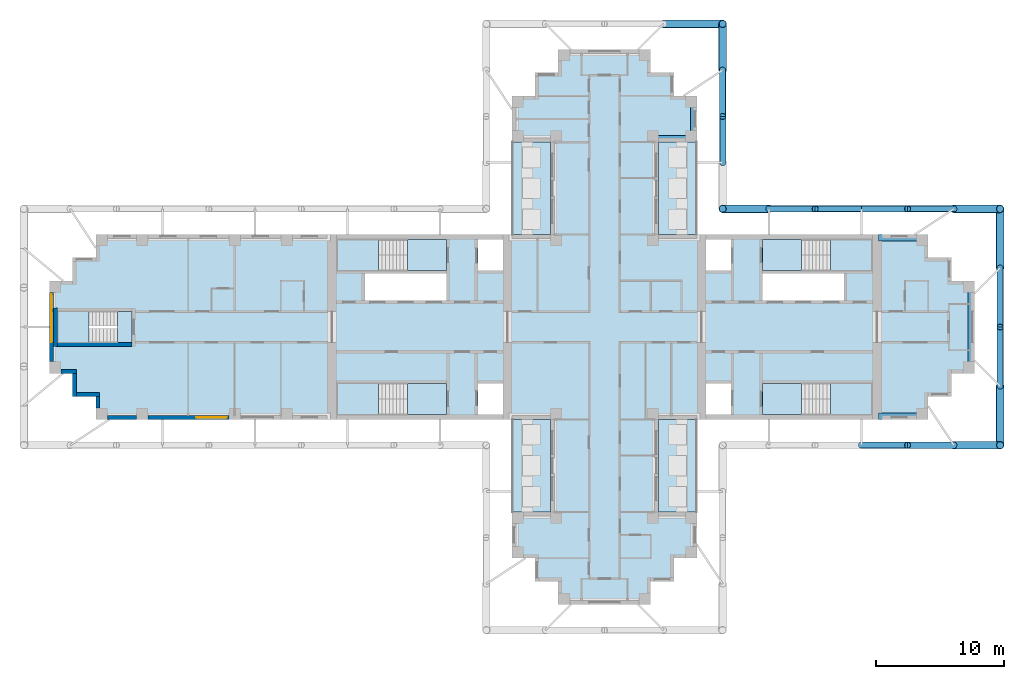
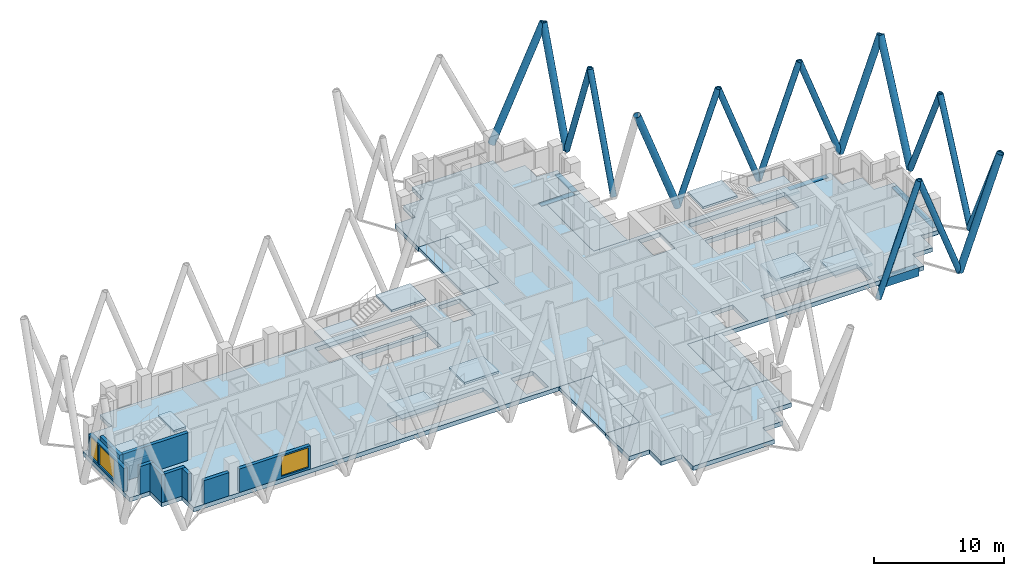
# One storey, part 2 of 12: 17 members, 15 slabs, 9 walls, 5 beams, 3 windows, 3 openings, 5 elements without a shape of their own.
"""IFC4 building model written with IfcOpenShell, lengths in metres."""

from ifc_helpers import new_model, si_unit, direction, frame, frame_2d, origin, origin_2d, place, context, subcontext, project, spatial, polyline, rectangle, hollow_circle, outline, extrude, material, layer, layer_set, material_profile, profile_set, type_object, element, fill, aggregate, save


model = new_model("IFC4")

# Units and contexts
model_context = context("Model", 3, precision=1e-05, world=origin(), true_north=direction((0.0, 1.0)))
body_context = subcontext(model_context, "Body", "Model", "MODEL_VIEW")
ifc_project = project(units=[si_unit("LENGTHUNIT", "METRE"), si_unit("AREAUNIT", "SQUARE_METRE"), si_unit("VOLUMEUNIT", "CUBIC_METRE"), si_unit("PLANEANGLEUNIT", "RADIAN"), si_unit("MASSUNIT", "GRAM", prefix="KILO")], contexts=[model_context])

# Site, building, storey
site_placement = place(None, origin())
site = spatial("IfcSite", under=ifc_project, at=site_placement, CompositionType="ELEMENT")
building_placement = place(site_placement, origin())
building = spatial("IfcBuilding", under=site, at=building_placement, Name="Fustian Cross Tower", CompositionType="ELEMENT")
storey_placement = place(building_placement, frame((0.0, 0.0, 188.699951171875)))
storey = spatial("IfcBuildingStorey", under=building, at=storey_placement, Name="L59", CompositionType="ELEMENT", Elevation=188.699951171875)

# Members
ifc_material_1 = material(Name="Steel S355", Category="steel")
ifc_material_profile_1 = material_profile(ifc_material_1, hollow_circle(Radius=0.25390625, WallThickness=0.02001953125, at=origin_2d()), Name="CHS 508x20")
ifc_profile_set_1 = profile_set([ifc_material_profile_1], Name="Steel S355")
member_type_1 = type_object("IfcMemberType", Name="DIAGRID DIAGONAL CHS 508x20", PredefinedType="BRACE", material=ifc_profile_set_1)
member_1_placement = place(storey_placement, frame((20.0, -9.199951171875, 0.0), z_axis=(0.34482419047, 0.0, 0.938667288056), x_axis=(0.0, 1.0, 0.0)))
element("IfcMember", 1, at=member_1_placement, inside=storey, type_object=member_type_1, Name="Diagrid diagonal E-S 04", PredefinedType="BRACE", context=body_context, shape_type="SweptSolid", body=[
    extrude(hollow_circle(Radius=0.25390625, WallThickness=0.02001953125, at=origin_2d()), origin(), (0.0, 0.0, 1.0), 10.4404296875),
])
member_2_placement = place(storey_placement, frame((27.199951171875, -9.199951171875, 0.0), z_axis=(-0.344803586443, 0.0, 0.938674856793), x_axis=(0.0, -1.0, 0.0)))
element("IfcMember", 2, at=member_2_placement, inside=storey, type_object=member_type_1, Name="Diagrid diagonal E-S 05", PredefinedType="BRACE", context=body_context, shape_type="SweptSolid", body=[
    extrude(hollow_circle(Radius=0.25390625, WallThickness=0.02001953125, at=origin_2d()), origin(), (0.0, 0.0, 1.0), 10.440185546875),
])
for number, where, z_axis, x_axis, name in (
    (3, (30.800048828125, -4.60009765625, 0.0), (0.0, 0.424912794088, 0.90523428869), (-1.0, 0.0, 0.0), "Diagrid diagonal E-end 02"),
    (4, (30.800048828125, 4.60009765625, 0.0), (0.0, -0.424912794088, 0.90523428869), (1.0, 0.0, 0.0), "Diagrid diagonal E-end 03"),
):
    element("IfcMember", number, at=place(storey_placement, frame(where, z_axis=z_axis, x_axis=x_axis)), inside=storey, type_object=member_type_1, Name=name, PredefinedType="BRACE", context=body_context, shape_type="SweptSolid", body=[
        extrude(hollow_circle(Radius=0.25390625, WallThickness=0.02001953125, at=origin_2d()), origin(), (0.0, 0.0, 1.0), 10.825927734375),
    ])
member_3_placement = place(storey_placement, frame((27.199951171875, 9.199951171875, 0.0), z_axis=(-0.344803586443, 0.0, 0.938674856793), x_axis=(0.0, -1.0, 0.0)))
element("IfcMember", 5, at=member_3_placement, inside=storey, type_object=member_type_1, Name="Diagrid diagonal E-N 02", PredefinedType="BRACE", context=body_context, shape_type="SweptSolid", body=[
    extrude(hollow_circle(Radius=0.25390625, WallThickness=0.02001953125, at=origin_2d()), origin(), (0.0, 0.0, 1.0), 10.440185546875),
])
for number, where, z_axis, x_axis, name in (
    (6, (20.0, 9.199951171875, 0.0), (0.34482419047, 0.0, 0.938667288056), (0.0, 1.0, 0.0), "Diagrid diagonal E-N 03"),
    (7, (20.0, 9.199951171875, 0.0), (-0.34482419047, 0.0, 0.938667288056), (0.0, -1.0, 0.0), "Diagrid diagonal E-N 04"),
):
    element("IfcMember", number, at=place(storey_placement, frame(where, z_axis=z_axis, x_axis=x_axis)), inside=storey, type_object=member_type_1, Name=name, PredefinedType="BRACE", context=body_context, shape_type="SweptSolid", body=[
        extrude(hollow_circle(Radius=0.25390625, WallThickness=0.02001953125, at=origin_2d()), origin(), (0.0, 0.0, 1.0), 10.4404296875),
    ])
for number, where, z_axis, x_axis, name in (
    (8, (12.800048828125, 9.199951171875, 0.0), (0.344803586443, 0.0, 0.938674856793), (0.0, 1.0, 0.0), "Diagrid diagonal E-N 05"),
    (9, (9.199951171875, 12.800048828125, 0.0), (0.0, 0.344803586443, 0.938674856793), (-1.0, 0.0, 0.0), "Diagrid diagonal N-E 02"),
):
    element("IfcMember", number, at=place(storey_placement, frame(where, z_axis=z_axis, x_axis=x_axis)), inside=storey, type_object=member_type_1, Name=name, PredefinedType="BRACE", context=body_context, shape_type="SweptSolid", body=[
        extrude(hollow_circle(Radius=0.25390625, WallThickness=0.02001953125, at=origin_2d()), origin(), (0.0, 0.0, 1.0), 10.440185546875),
    ])
member_4_placement = place(storey_placement, frame((9.199951171875, 20.0, 0.0), z_axis=(0.0, -0.34482419047, 0.938667288056), x_axis=(1.0, 0.0, 0.0)))
element("IfcMember", 10, at=member_4_placement, inside=storey, type_object=member_type_1, Name="Diagrid diagonal N-E 03", PredefinedType="BRACE", context=body_context, shape_type="SweptSolid", body=[
    extrude(hollow_circle(Radius=0.25390625, WallThickness=0.02001953125, at=origin_2d()), origin(), (0.0, 0.0, 1.0), 10.4404296875),
])
ifc_material_2 = material(Name="Steel S355", Category="steel")
ifc_material_profile_2 = material_profile(ifc_material_2, hollow_circle(Radius=0.3046875, WallThickness=0.02490234375, at=origin_2d()), Name="CHS 610x25")
ifc_profile_set_2 = profile_set([ifc_material_profile_2], Name="Steel S355")
member_type_2 = type_object("IfcMemberType", Name="DIAGRID DIAGONAL CHS 610x25", PredefinedType="BRACE", material=ifc_profile_set_2)
member_5_placement = place(storey_placement, frame((27.199951171875, -9.199951171875, 0.0), z_axis=(0.34482419047, 0.0, 0.938667288056), x_axis=(0.0, 1.0, 0.0)))
element("IfcMember", 11, at=member_5_placement, inside=storey, type_object=member_type_2, Name="Diagrid diagonal E-S 06", PredefinedType="BRACE", context=body_context, shape_type="SweptSolid", body=[
    extrude(hollow_circle(Radius=0.3046875, WallThickness=0.02490234375, at=origin_2d()), origin(), (0.0, 0.0, 1.0), 10.4404296875),
])
for number, where, z_axis, x_axis, name in (
    (12, (30.800048828125, -4.60009765625, 0.0), (0.0, -0.424894314128, 0.905242962868), (1.0, 0.0, 0.0), "Diagrid diagonal E-end 01"),
    (13, (30.800048828125, 4.60009765625, 0.0), (0.0, 0.424894314128, 0.905242962868), (-1.0, 0.0, 0.0), "Diagrid diagonal E-end 04"),
):
    element("IfcMember", number, at=place(storey_placement, frame(where, z_axis=z_axis, x_axis=x_axis)), inside=storey, type_object=member_type_2, Name=name, PredefinedType="BRACE", context=body_context, shape_type="SweptSolid", body=[
        extrude(hollow_circle(Radius=0.3046875, WallThickness=0.02490234375, at=origin_2d()), origin(), (0.0, 0.0, 1.0), 10.825927734375),
    ])
for number, where, z_axis, x_axis, name in (
    (14, (27.199951171875, 9.199951171875, 0.0), (0.34482419047, 0.0, 0.938667288056), (0.0, 1.0, 0.0), "Diagrid diagonal E-N 01"),
    (15, (12.800048828125, 9.199951171875, 0.0), (-0.34482419047, 0.0, 0.938667288056), (0.0, -1.0, 0.0), "Diagrid diagonal E-N 06"),
    (16, (9.199951171875, 20.0, 0.0), (0.0, 0.34482419047, 0.938667288056), (-1.0, 0.0, 0.0), "Diagrid diagonal N-E 04"),
):
    element("IfcMember", number, at=place(storey_placement, frame(where, z_axis=z_axis, x_axis=x_axis)), inside=storey, type_object=member_type_2, Name=name, PredefinedType="BRACE", context=body_context, shape_type="SweptSolid", body=[
        extrude(hollow_circle(Radius=0.3046875, WallThickness=0.02490234375, at=origin_2d()), origin(), (0.0, 0.0, 1.0), 10.4404296875),
    ])
member_6_placement = place(storey_placement, frame((4.60009765625, 23.60009765625, 0.0), z_axis=(0.424894314128, 0.0, 0.905242962868), x_axis=(0.0, 1.0, 0.0)))
element("IfcMember", 17, at=member_6_placement, inside=storey, type_object=member_type_2, Name="Diagrid diagonal N-end 01", PredefinedType="BRACE", context=body_context, shape_type="SweptSolid", body=[
    extrude(hollow_circle(Radius=0.3046875, WallThickness=0.02490234375, at=origin_2d()), origin(), (0.0, 0.0, 1.0), 10.825927734375),
])

# Beams
ifc_material_3 = material(Name="Concrete C50/60", Category="concrete")
ifc_material_profile_3 = material_profile(ifc_material_3, rectangle(XDim=0.5, YDim=0.800048828125, at=origin_2d()), Name="RC 500x800")
ifc_profile_set_3 = profile_set([ifc_material_profile_3], Name="Concrete C50/60")
beam_type = type_object("IfcBeamType", Name="EDGE BEAM RC 500x800 C50/60", PredefinedType="SPANDREL", material=ifc_profile_set_3)
beam_1_placement = place(storey_placement, frame((21.35009765625, -6.949951171875, -0.39990234375), z_axis=(1.0, 0.0, 0.0), x_axis=(0.0, 1.0, 0.0)))
element("IfcBeam", 18, at=beam_1_placement, inside=storey, type_object=beam_type, Name="EDGE BEAM L59-01", PredefinedType="SPANDREL", context=body_context, shape_type="SweptSolid", body=[
    extrude(rectangle(XDim=0.5, YDim=0.800048828125, at=origin_2d()), origin(), (0.0, 0.0, 1.0), 3.39990234375),
])
beam_2_placement = place(storey_placement, frame((28.550048828125, -3.14990234375, -0.39990234375), z_axis=(0.0, 1.0, 0.0), x_axis=(-1.0, 0.0, 0.0)))
element("IfcBeam", 19, at=beam_2_placement, inside=storey, type_object=beam_type, Name="EDGE BEAM L59-02", PredefinedType="SPANDREL", context=body_context, shape_type="SweptSolid", body=[
    extrude(rectangle(XDim=0.5, YDim=0.800048828125, at=origin_2d()), origin(), (0.0, 0.0, 1.0), 6.2998046875),
])
beam_3_placement = place(storey_placement, frame((24.75, 6.949951171875, -0.39990234375), z_axis=(-1.0, 0.0, 0.0), x_axis=(0.0, -1.0, 0.0)))
element("IfcBeam", 20, at=beam_3_placement, inside=storey, type_object=beam_type, Name="EDGE BEAM L59-03", PredefinedType="SPANDREL", context=body_context, shape_type="SweptSolid", body=[
    extrude(rectangle(XDim=0.5, YDim=0.800048828125, at=origin_2d()), origin(), (0.0, 0.0, 1.0), 3.39990234375),
])
beam_4_placement = place(storey_placement, frame((3.75, 14.64990234375, -0.39990234375), z_axis=(1.0, 0.0, 0.0), x_axis=(0.0, 1.0, 0.0)))
element("IfcBeam", 21, at=beam_4_placement, inside=storey, type_object=beam_type, Name="EDGE BEAM L59-06", PredefinedType="SPANDREL", context=body_context, shape_type="SweptSolid", body=[
    extrude(rectangle(XDim=0.5, YDim=0.800048828125, at=origin_2d()), origin(), (0.0, 0.0, 1.0), 3.0),
])
beam_5_placement = place(storey_placement, frame((6.949951171875, 14.85009765625, -0.39990234375), z_axis=(0.0, 1.0, 0.0), x_axis=(-1.0, 0.0, 0.0)))
element("IfcBeam", 22, at=beam_5_placement, inside=storey, type_object=beam_type, Name="EDGE BEAM L59-07", PredefinedType="SPANDREL", context=body_context, shape_type="SweptSolid", body=[
    extrude(rectangle(XDim=0.5, YDim=0.800048828125, at=origin_2d()), origin(), (0.0, 0.0, 1.0), 2.699951171875),
])

# Slabs
ifc_material_4 = material(Name="Concrete C40/50", Category="concrete")
ifc_layer_1 = layer(ifc_material_4, 0.300048828125)
ifc_layer_set_1 = layer_set([ifc_layer_1], Name="Concrete C40/50")
slab_type_1 = type_object("IfcSlabType", Name="BS1 BALCONY SLAB 300", PredefinedType="FLOOR", material=ifc_layer_set_1)
slab_1_placement = place(storey_placement, frame((0.0, 0.0, -0.300048828125)))
element("IfcSlab", 23, at=slab_1_placement, inside=storey, type_object=slab_type_1, Name="Balcony slab", PredefinedType="FLOOR", context=body_context, shape_type="SweptSolid", body=[
    extrude(outline(polyline([(4.199951171875, 7.199951171875), (7.199951171875, 7.199951171875), (7.199951171875, 14.39990234375), (4.199951171875, 14.39990234375), (4.199951171875, 7.199951171875)])), origin(), (0.0, 0.0, 1.0), 0.300048828125),
])
slab_2_placement = place(storey_placement, frame((0.0, 0.0, -0.300048828125)))
element("IfcSlab", 24, at=slab_2_placement, inside=storey, type_object=slab_type_1, Name="Balcony slab", PredefinedType="FLOOR", context=body_context, shape_type="SweptSolid", body=[
    extrude(outline(polyline([(-7.199951171875, 7.199951171875), (-4.199951171875, 7.199951171875), (-4.199951171875, 14.39990234375), (-7.199951171875, 14.39990234375), (-7.199951171875, 7.199951171875)])), origin(), (0.0, 0.0, 1.0), 0.300048828125),
])
slab_3_placement = place(storey_placement, frame((0.0, 0.0, -0.300048828125)))
element("IfcSlab", 25, at=slab_3_placement, inside=storey, type_object=slab_type_1, Name="Balcony slab", PredefinedType="FLOOR", context=body_context, shape_type="SweptSolid", body=[
    extrude(outline(polyline([(4.199951171875, -14.39990234375), (7.199951171875, -14.39990234375), (7.199951171875, -7.199951171875), (4.199951171875, -7.199951171875), (4.199951171875, -14.39990234375)])), origin(), (0.0, 0.0, 1.0), 0.300048828125),
])
slab_4_placement = place(storey_placement, frame((0.0, 0.0, -0.300048828125)))
element("IfcSlab", 26, at=slab_4_placement, inside=storey, type_object=slab_type_1, Name="Balcony slab", PredefinedType="FLOOR", context=body_context, shape_type="SweptSolid", body=[
    extrude(outline(polyline([(-7.199951171875, -14.39990234375), (-4.199951171875, -14.39990234375), (-4.199951171875, -7.199951171875), (-7.199951171875, -7.199951171875), (-7.199951171875, -14.39990234375)])), origin(), (0.0, 0.0, 1.0), 0.300048828125),
])
ifc_material_5 = material(Name="Concrete C40/50", Category="concrete")
ifc_layer_2 = layer(ifc_material_5, 0.39990234375)
ifc_layer_set_2 = layer_set([ifc_layer_2], Name="Concrete C40/50")
slab_type_2 = type_object("IfcSlabType", Name="FLAT SLAB 400", PredefinedType="FLOOR", material=ifc_layer_set_2)
slab_5_placement = place(storey_placement, frame((0.0, 0.0, -0.39990234375)))
element("IfcSlab", 27, at=slab_5_placement, inside=storey, type_object=slab_type_2, Name="FLOOR SLAB L59-1", PredefinedType="FLOOR", context=body_context, shape_type="SweptSolid", body=[
    extrude(outline(polyline([(-5.39990234375, -19.800048828125), (-5.39990234375, -18.0), (-7.199951171875, -18.0), (-7.199951171875, -14.39990234375), (-4.199951171875, -14.39990234375), (-4.199951171875, -7.199951171875), (-39.60009765625, -7.199951171875), (-39.60009765625, -5.39990234375), (-41.39990234375, -5.39990234375), (-41.39990234375, -3.60009765625), (-43.199951171875, -3.60009765625), (-43.199951171875, 3.60009765625), (-41.39990234375, 3.60009765625), (-41.39990234375, 5.39990234375), (-39.60009765625, 5.39990234375), (-39.60009765625, 7.199951171875), (-4.199951171875, 7.199951171875), (-4.199951171875, 14.39990234375), (-7.199951171875, 14.39990234375), (-7.199951171875, 18.0), (-5.39990234375, 18.0), (-5.39990234375, 19.800048828125), (-3.60009765625, 19.800048828125), (-3.60009765625, 21.60009765625), (3.60009765625, 21.60009765625), (3.60009765625, 19.800048828125), (5.39990234375, 19.800048828125), (5.39990234375, 18.0), (7.199951171875, 18.0), (7.199951171875, 14.39990234375), (4.199951171875, 14.39990234375), (4.199951171875, 7.199951171875), (25.199951171875, 7.199951171875), (25.199951171875, 5.39990234375), (27.0, 5.39990234375), (27.0, 3.60009765625), (28.800048828125, 3.60009765625), (28.800048828125, -3.60009765625), (27.0, -3.60009765625), (27.0, -5.39990234375), (25.199951171875, -5.39990234375), (25.199951171875, -7.199951171875), (4.199951171875, -7.199951171875), (4.199951171875, -14.39990234375), (7.199951171875, -14.39990234375), (7.199951171875, -18.0), (5.39990234375, -18.0), (5.39990234375, -19.800048828125), (3.60009765625, -19.800048828125), (3.60009765625, -21.60009765625), (-3.60009765625, -21.60009765625), (-3.60009765625, -19.800048828125), (-5.39990234375, -19.800048828125)]), holes=[polyline([(7.89990234375, 4.39990234375), (9.85009765625, 4.39990234375), (9.85009765625, 6.800048828125), (7.89990234375, 6.800048828125), (7.89990234375, 4.39990234375)]), polyline([(7.89990234375, -4.39990234375), (7.89990234375, -6.800048828125), (9.85009765625, -6.800048828125), (9.85009765625, -4.39990234375), (7.89990234375, -4.39990234375)]), polyline([(-7.89990234375, 6.800048828125), (-9.85009765625, 6.800048828125), (-9.85009765625, 4.39990234375), (-7.89990234375, 4.39990234375), (-7.89990234375, 6.800048828125)]), polyline([(-7.89990234375, -6.800048828125), (-7.89990234375, -4.39990234375), (-9.85009765625, -4.39990234375), (-9.85009765625, -6.800048828125), (-7.89990234375, -6.800048828125)]), polyline([(12.300048828125, 2.050048828125), (18.64990234375, 2.050048828125), (18.64990234375, 4.14990234375), (12.300048828125, 4.14990234375), (12.300048828125, 2.050048828125)]), polyline([(-18.64990234375, 4.14990234375), (-18.64990234375, 2.050048828125), (-12.300048828125, 2.050048828125), (-12.300048828125, 4.14990234375), (-18.64990234375, 4.14990234375)]), polyline([(20.85009765625, 6.699951171875), (12.300048828125, 6.699951171875), (12.300048828125, 4.39990234375), (20.85009765625, 4.39990234375), (20.85009765625, 6.699951171875)]), polyline([(20.85009765625, -6.699951171875), (20.85009765625, -4.39990234375), (12.300048828125, -4.39990234375), (12.300048828125, -6.699951171875), (20.85009765625, -6.699951171875)]), polyline([(-20.85009765625, 4.39990234375), (-12.300048828125, 4.39990234375), (-12.300048828125, 6.699951171875), (-20.85009765625, 6.699951171875), (-20.85009765625, 4.39990234375)]), polyline([(-20.85009765625, -4.39990234375), (-20.85009765625, -6.699951171875), (-12.300048828125, -6.699951171875), (-12.300048828125, -4.39990234375), (-20.85009765625, -4.39990234375)]), polyline([(-36.800048828125, 1.199951171875), (-42.60009765625, 1.199951171875), (-42.60009765625, -1.199951171875), (-36.800048828125, -1.199951171875), (-36.800048828125, 1.199951171875)])]), origin(), (0.0, 0.0, 1.0), 0.39990234375),
])

# Stair, slabs
ifc_material_6 = material(Name="Concrete C50/60", Category="concrete")
stair_type_1 = type_object("IfcStairType", Name="STAIR 1200 HALF TURN", PredefinedType="HALF_TURN_STAIR", material=ifc_material_6)
stair_1_placement = place(storey_placement, origin())
stair_1 = element("IfcStair", 28, at=stair_1_placement, inside=storey, type_object=stair_type_1, Name="Stair ST1", PredefinedType="HALF_TURN_STAIR")
ifc_material_7 = material(Name="Concrete C50/60", Category="concrete")
ifc_layer_3 = layer(ifc_material_7, 0.199951171875)
ifc_layer_set_3 = layer_set([ifc_layer_3], Name="Concrete C50/60")
slab_type_3 = type_object("IfcSlabType", Name="STAIR LANDING", PredefinedType="LANDING", material=ifc_layer_set_3)
slab_6_placement = place(storey_placement, frame((0.0, 0.0, 1.300048828125)))
slab_6 = element("IfcSlab", 29, at=slab_6_placement, type_object=slab_type_3, Name="ST1 landing 1", PredefinedType="LANDING", context=body_context, shape_type="SweptSolid", body=[
    extrude(outline(polyline([(17.590087890625, 4.39990234375), (20.85009765625, 4.39990234375), (20.85009765625, 6.800048828125), (17.590087890625, 6.800048828125), (17.590087890625, 4.39990234375)])), origin(), (0.0, 0.0, 1.0), 0.199951171875),
])
slab_7_placement = place(storey_placement, frame((0.0, 0.0, 2.800048828125)))
slab_7 = element("IfcSlab", 30, at=slab_7_placement, type_object=slab_type_3, Name="ST1 landing 2", PredefinedType="LANDING", context=body_context, shape_type="SweptSolid", body=[
    extrude(outline(polyline([(12.300048828125, 4.39990234375), (15.35009765625, 4.39990234375), (15.35009765625, 6.800048828125), (12.300048828125, 6.800048828125), (12.300048828125, 4.39990234375)])), origin(), (0.0, 0.0, 1.0), 0.199951171875),
])
aggregate(stair_1, [slab_6, slab_7])

stair_2_placement = place(storey_placement, origin())
stair_2 = element("IfcStair", 31, at=stair_2_placement, inside=storey, type_object=stair_type_1, Name="Stair ST2", PredefinedType="HALF_TURN_STAIR")
slab_8_placement = place(storey_placement, frame((0.0, 0.0, 1.300048828125)))
slab_8 = element("IfcSlab", 32, at=slab_8_placement, type_object=slab_type_3, Name="ST2 landing 1", PredefinedType="LANDING", context=body_context, shape_type="SweptSolid", body=[
    extrude(outline(polyline([(17.590087890625, -4.39990234375), (20.85009765625, -4.39990234375), (20.85009765625, -6.800048828125), (17.590087890625, -6.800048828125), (17.590087890625, -4.39990234375)])), origin(), (0.0, 0.0, 1.0), 0.199951171875),
])
slab_9_placement = place(storey_placement, frame((0.0, 0.0, 2.800048828125)))
slab_9 = element("IfcSlab", 33, at=slab_9_placement, type_object=slab_type_3, Name="ST2 landing 2", PredefinedType="LANDING", context=body_context, shape_type="SweptSolid", body=[
    extrude(outline(polyline([(12.300048828125, -4.39990234375), (15.35009765625, -4.39990234375), (15.35009765625, -6.800048828125), (12.300048828125, -6.800048828125), (12.300048828125, -4.39990234375)])), origin(), (0.0, 0.0, 1.0), 0.199951171875),
])
aggregate(stair_2, [slab_8, slab_9])

stair_3_placement = place(storey_placement, origin())
stair_3 = element("IfcStair", 34, at=stair_3_placement, inside=storey, type_object=stair_type_1, Name="Stair ST3", PredefinedType="HALF_TURN_STAIR")
slab_10_placement = place(storey_placement, frame((0.0, 0.0, 1.300048828125)))
slab_10 = element("IfcSlab", 35, at=slab_10_placement, type_object=slab_type_3, Name="ST3 landing 1", PredefinedType="LANDING", context=body_context, shape_type="SweptSolid", body=[
    extrude(outline(polyline([(-17.590087890625, 4.39990234375), (-20.85009765625, 4.39990234375), (-20.85009765625, 6.800048828125), (-17.590087890625, 6.800048828125), (-17.590087890625, 4.39990234375)])), origin(), (0.0, 0.0, 1.0), 0.199951171875),
])
slab_11_placement = place(storey_placement, frame((0.0, 0.0, 2.800048828125)))
slab_11 = element("IfcSlab", 36, at=slab_11_placement, type_object=slab_type_3, Name="ST3 landing 2", PredefinedType="LANDING", context=body_context, shape_type="SweptSolid", body=[
    extrude(outline(polyline([(-12.300048828125, 4.39990234375), (-15.35009765625, 4.39990234375), (-15.35009765625, 6.800048828125), (-12.300048828125, 6.800048828125), (-12.300048828125, 4.39990234375)])), origin(), (0.0, 0.0, 1.0), 0.199951171875),
])
aggregate(stair_3, [slab_10, slab_11])

stair_4_placement = place(storey_placement, origin())
stair_4 = element("IfcStair", 37, at=stair_4_placement, inside=storey, type_object=stair_type_1, Name="Stair ST4", PredefinedType="HALF_TURN_STAIR")
slab_12_placement = place(storey_placement, frame((0.0, 0.0, 1.300048828125)))
slab_12 = element("IfcSlab", 38, at=slab_12_placement, type_object=slab_type_3, Name="ST4 landing 1", PredefinedType="LANDING", context=body_context, shape_type="SweptSolid", body=[
    extrude(outline(polyline([(-17.590087890625, -4.39990234375), (-20.85009765625, -4.39990234375), (-20.85009765625, -6.800048828125), (-17.590087890625, -6.800048828125), (-17.590087890625, -4.39990234375)])), origin(), (0.0, 0.0, 1.0), 0.199951171875),
])
slab_13_placement = place(storey_placement, frame((0.0, 0.0, 2.800048828125)))
slab_13 = element("IfcSlab", 39, at=slab_13_placement, type_object=slab_type_3, Name="ST4 landing 2", PredefinedType="LANDING", context=body_context, shape_type="SweptSolid", body=[
    extrude(outline(polyline([(-12.300048828125, -4.39990234375), (-15.35009765625, -4.39990234375), (-15.35009765625, -6.800048828125), (-12.300048828125, -6.800048828125), (-12.300048828125, -4.39990234375)])), origin(), (0.0, 0.0, 1.0), 0.199951171875),
])
aggregate(stair_4, [slab_12, slab_13])

ifc_material_8 = material(Name="Concrete C50/60", Category="concrete")
stair_type_2 = type_object("IfcStairType", Name="STAIR 1100 HALF TURN", PredefinedType="HALF_TURN_STAIR", material=ifc_material_8)
stair_5_placement = place(storey_placement, origin())
stair_5 = element("IfcStair", 40, at=stair_5_placement, inside=storey, type_object=stair_type_2, Name="Stair ST9", PredefinedType="HALF_TURN_STAIR")
slab_14_placement = place(storey_placement, frame((0.0, 0.0, 1.300048828125)))
slab_14 = element("IfcSlab", 41, at=slab_14_placement, type_object=slab_type_3, Name="ST9 landing 1", PredefinedType="LANDING", context=body_context, shape_type="SweptSolid", body=[
    extrude(outline(polyline([(-40.139892578125, -1.199951171875), (-42.60009765625, -1.199951171875), (-42.60009765625, 1.199951171875), (-40.139892578125, 1.199951171875), (-40.139892578125, -1.199951171875)])), origin(), (0.0, 0.0, 1.0), 0.199951171875),
])
slab_15_placement = place(storey_placement, frame((0.0, 0.0, 2.800048828125)))
slab_15 = element("IfcSlab", 42, at=slab_15_placement, type_object=slab_type_3, Name="ST9 landing 2", PredefinedType="LANDING", context=body_context, shape_type="SweptSolid", body=[
    extrude(outline(polyline([(-36.800048828125, -1.199951171875), (-37.89990234375, -1.199951171875), (-37.89990234375, 1.199951171875), (-36.800048828125, 1.199951171875), (-36.800048828125, -1.199951171875)])), origin(), (0.0, 0.0, 1.0), 0.199951171875),
])
aggregate(stair_5, [slab_14, slab_15])

# Walls
ifc_material_9 = material(Name="Concrete C50/60", Category="concrete")
ifc_layer_4 = layer(ifc_material_9, 0.300048828125)
ifc_layer_set_4 = layer_set([ifc_layer_4], Name="Concrete C50/60")
wall_type_1 = type_object("IfcWallType", Name="STAIR ENCLOSURE WALL 300 C50/60", PredefinedType="SHEAR", material=ifc_layer_set_4)
wall_1_placement = place(storey_placement, frame((-42.75, -1.5, 0.0), z_axis=(0.0, 0.0, 1.0), x_axis=(0.0, 1.0, 0.0)))
element("IfcWall", 43, at=wall_1_placement, inside=storey, type_object=wall_type_1, Name="Stair enclosure wall", PredefinedType="SHEAR", context=body_context, shape_type="SweptSolid", body=[
    extrude(rectangle(XDim=3.0, YDim=0.300048828125, at=frame_2d((1.5, 0.0))), origin(), (0.0, 0.0, 1.0), 2.60009765625),
])
wall_2_placement = place(storey_placement, frame((-36.800048828125, -1.35009765625, 0.0), z_axis=(0.0, 0.0, 1.0), x_axis=(-1.0, 0.0, 0.0)))
element("IfcWall", 44, at=wall_2_placement, inside=storey, type_object=wall_type_1, Name="Stair enclosure wall", PredefinedType="SHEAR", context=body_context, shape_type="SweptSolid", body=[
    extrude(rectangle(XDim=5.800048828125, YDim=0.300048828125, at=frame_2d((2.89990234375, 0.0))), origin(), (0.0, 0.0, 1.0), 2.60009765625),
])

# Wall, openings, windows
ifc_material_10 = material(Name="Dark aluminium cladding on insulated backing wall", Category="aluminium")
ifc_layer_5 = layer(ifc_material_10, 0.300048828125)
ifc_layer_set_5 = layer_set([ifc_layer_5], Name="Dark aluminium cladding on insulated backing wall")
wall_type_2 = type_object("IfcWallType", Name="XW1 EXTERNAL WALL 300", PredefinedType="SOLIDWALL", material=ifc_layer_set_5)
wall_3_placement = place(storey_placement, frame((-43.050048828125, 2.699951171875, 0.0), z_axis=(0.0, 0.0, 1.0), x_axis=(0.0, -1.0, 0.0)))
wall_3 = element("IfcWall", 45, at=wall_3_placement, inside=storey, type_object=wall_type_2, Name="External wall", PredefinedType="SOLIDWALL", context=body_context, shape_type="SweptSolid", body=[
    extrude(rectangle(XDim=5.39990234375, YDim=0.300048828125, at=frame_2d((2.699951171875, 0.0))), origin(), (0.0, 0.0, 1.0), 2.199951171875),
])
opening_1_placement = place(wall_3_placement, frame((1.5, 0.0, 0.199951171875)))
opening_1 = element("IfcOpeningElement", 46, at=opening_1_placement, cuts=wall_3, Name="Opening WN1", PredefinedType="OPENING", context=body_context, shape_type="SweptSolid", body=[
    extrude(rectangle(XDim=2.39990234375, YDim=1.85009765625, at=frame_2d((1.199951171875, 0.925048828125))), frame((0.0, 0.159912109375, 0.0), z_axis=(0.0, -1.0, 0.0), x_axis=(1.0, 0.0, 0.0)), (0.0, 0.0, 1.0), 0.320068359375),
])
opening_2_placement = place(wall_3_placement, frame((0.14990234375, 0.0, 0.199951171875)))
opening_2 = element("IfcOpeningElement", 47, at=opening_2_placement, cuts=wall_3, Name="Opening WN3", PredefinedType="OPENING", context=body_context, shape_type="SweptSolid", body=[
    extrude(rectangle(XDim=1.199951171875, YDim=1.85009765625, at=frame_2d((0.60009765625, 0.925048828125))), frame((0.0, 0.159912109375, 0.0), z_axis=(0.0, -1.0, 0.0), x_axis=(1.0, 0.0, 0.0)), (0.0, 0.0, 1.0), 0.320068359375),
])
ifc_material_11 = material(Name="Dark anodised aluminium and double glazing", Category="aluminium")
window_type_1 = type_object("IfcWindowType", Name="WN1 WINDOW 2400X1850", PartitioningType="SINGLE_PANEL", PredefinedType="WINDOW", material=ifc_material_11)
window_1_placement = place(opening_1_placement, origin())
window_1 = element("IfcWindow", 48, at=window_1_placement, inside=storey, type_object=window_type_1, Name="Window", OverallHeight=1.85009765625, OverallWidth=2.39990234375, PartitioningType="SINGLE_PANEL", PredefinedType="WINDOW", context=body_context, shape_type="SweptSolid", body=[
    extrude(rectangle(XDim=2.39990234375, YDim=1.85009765625, at=frame_2d((1.199951171875, 0.925048828125))), frame((0.0, 0.030029296875, 0.0), z_axis=(0.0, -1.0, 0.0), x_axis=(1.0, 0.0, 0.0)), (0.0, 0.0, 1.0), 0.06005859375),
])
fill(opening_1, window_1)
ifc_material_12 = material(Name="Dark anodised aluminium and double glazing", Category="aluminium")
window_type_2 = type_object("IfcWindowType", Name="WN3 WINDOW 1200X1850", PartitioningType="SINGLE_PANEL", PredefinedType="WINDOW", material=ifc_material_12)
window_2_placement = place(opening_2_placement, origin())
window_2 = element("IfcWindow", 49, at=window_2_placement, inside=storey, type_object=window_type_2, Name="Window", OverallHeight=1.85009765625, OverallWidth=1.199951171875, PartitioningType="SINGLE_PANEL", PredefinedType="WINDOW", context=body_context, shape_type="SweptSolid", body=[
    extrude(rectangle(XDim=1.199951171875, YDim=1.85009765625, at=frame_2d((0.60009765625, 0.925048828125))), frame((0.0, 0.030029296875, 0.0), z_axis=(0.0, -1.0, 0.0), x_axis=(1.0, 0.0, 0.0)), (0.0, 0.0, 1.0), 0.06005859375),
])
fill(opening_2, window_2)

# Walls
wall_4_placement = place(storey_placement, frame((-42.300048828125, -3.449951171875, 0.0), z_axis=(0.0, 0.0, 1.0), x_axis=(1.0, 0.0, 0.0)))
element("IfcWall", 50, at=wall_4_placement, inside=storey, type_object=wall_type_2, Name="External wall", PredefinedType="SOLIDWALL", context=body_context, shape_type="SweptSolid", body=[
    extrude(rectangle(XDim=1.199951171875, YDim=0.300048828125, at=frame_2d((0.60009765625, 0.0))), origin(), (0.0, 0.0, 1.0), 2.60009765625),
])
wall_5_placement = place(storey_placement, frame((-41.25, -3.60009765625, 0.0), z_axis=(0.0, 0.0, 1.0), x_axis=(0.0, -1.0, 0.0)))
element("IfcWall", 51, at=wall_5_placement, inside=storey, type_object=wall_type_2, Name="External wall", PredefinedType="SOLIDWALL", context=body_context, shape_type="SweptSolid", body=[
    extrude(rectangle(XDim=1.7998046875, YDim=0.300048828125, at=frame_2d((0.89990234375, 0.0))), origin(), (0.0, 0.0, 1.0), 2.60009765625),
])
wall_6_placement = place(storey_placement, frame((-41.10009765625, -5.25, 0.0), z_axis=(0.0, 0.0, 1.0), x_axis=(1.0, 0.0, 0.0)))
element("IfcWall", 52, at=wall_6_placement, inside=storey, type_object=wall_type_2, Name="External wall", PredefinedType="SOLIDWALL", context=body_context, shape_type="SweptSolid", body=[
    extrude(rectangle(XDim=1.800048828125, YDim=0.300048828125, at=frame_2d((0.89990234375, 0.0))), origin(), (0.0, 0.0, 1.0), 2.60009765625),
])
wall_7_placement = place(storey_placement, frame((-39.449951171875, -5.39990234375, 0.0), z_axis=(0.0, 0.0, 1.0), x_axis=(0.0, -1.0, 0.0)))
element("IfcWall", 53, at=wall_7_placement, inside=storey, type_object=wall_type_2, Name="External wall", PredefinedType="SOLIDWALL", context=body_context, shape_type="SweptSolid", body=[
    extrude(rectangle(XDim=0.900146484375, YDim=0.300048828125, at=frame_2d((0.4501953125, 0.0))), origin(), (0.0, 0.0, 1.0), 2.60009765625),
])
wall_8_placement = place(storey_placement, frame((-38.699951171875, -7.050048828125, 0.0), z_axis=(0.0, 0.0, 1.0), x_axis=(1.0, 0.0, 0.0)))
element("IfcWall", 54, at=wall_8_placement, inside=storey, type_object=wall_type_2, Name="External wall", PredefinedType="SOLIDWALL", context=body_context, shape_type="SweptSolid", body=[
    extrude(rectangle(XDim=2.25, YDim=0.300048828125, at=frame_2d((1.125, 0.0))), origin(), (0.0, 0.0, 1.0), 2.199951171875),
])

# Wall, opening, window
wall_9_placement = place(storey_placement, frame((-35.550048828125, -7.050048828125, 0.0), z_axis=(0.0, 0.0, 1.0), x_axis=(1.0, 0.0, 0.0)))
wall_9 = element("IfcWall", 55, at=wall_9_placement, inside=storey, type_object=wall_type_2, Name="External wall", PredefinedType="SOLIDWALL", context=body_context, shape_type="SweptSolid", body=[
    extrude(rectangle(XDim=6.300048828125, YDim=0.300048828125, at=frame_2d((3.14990234375, 0.0))), origin(), (0.0, 0.0, 1.0), 2.199951171875),
])
opening_3_placement = place(wall_9_placement, frame((3.75, 0.0, 0.199951171875)))
opening_3 = element("IfcOpeningElement", 56, at=opening_3_placement, cuts=wall_9, Name="Opening WN1", PredefinedType="OPENING", context=body_context, shape_type="SweptSolid", body=[
    extrude(rectangle(XDim=2.39990234375, YDim=1.85009765625, at=frame_2d((1.199951171875, 0.925048828125))), frame((0.0, 0.159912109375, 0.0), z_axis=(0.0, -1.0, 0.0), x_axis=(1.0, 0.0, 0.0)), (0.0, 0.0, 1.0), 0.320068359375),
])
window_3_placement = place(opening_3_placement, origin())
window_3 = element("IfcWindow", 57, at=window_3_placement, inside=storey, type_object=window_type_1, Name="Window", OverallHeight=1.85009765625, OverallWidth=2.39990234375, PartitioningType="SINGLE_PANEL", PredefinedType="WINDOW", context=body_context, shape_type="SweptSolid", body=[
    extrude(rectangle(XDim=2.39990234375, YDim=1.85009765625, at=frame_2d((1.199951171875, 0.925048828125))), frame((0.0, 0.030029296875, 0.0), z_axis=(0.0, -1.0, 0.0), x_axis=(1.0, 0.0, 0.0)), (0.0, 0.0, 1.0), 0.06005859375),
])
fill(opening_3, window_3)

save(model, "model.ifc")
